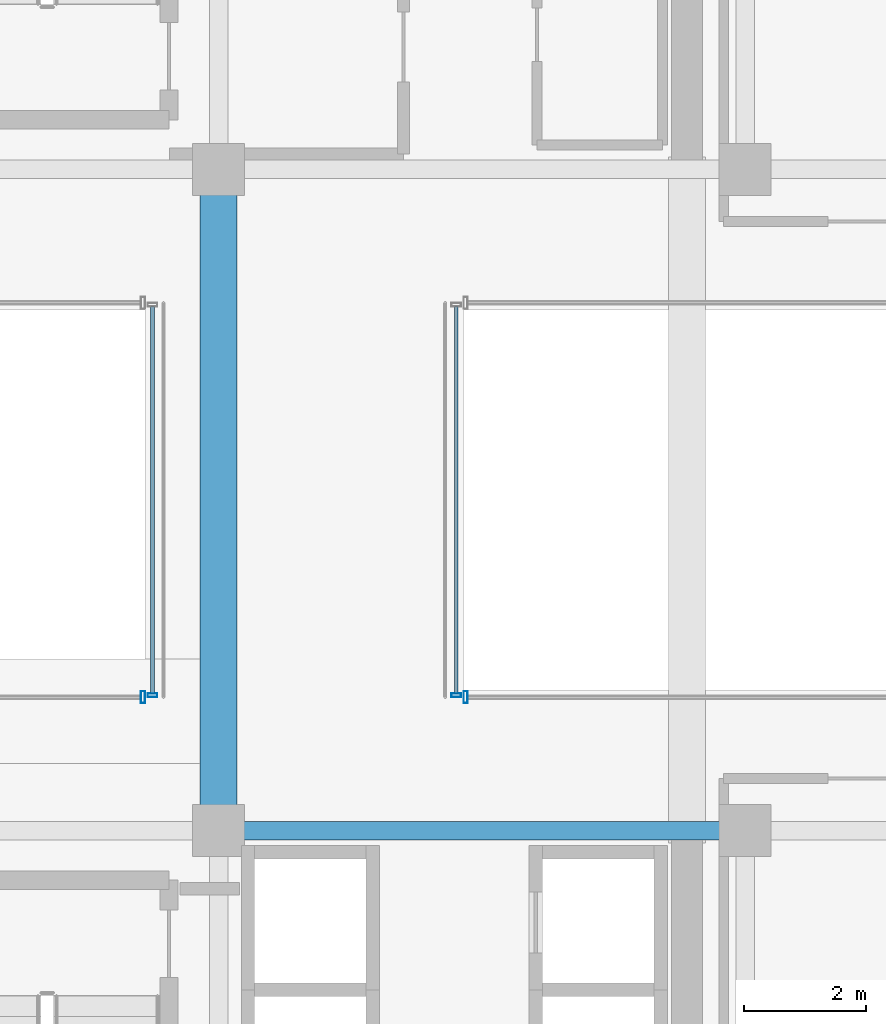
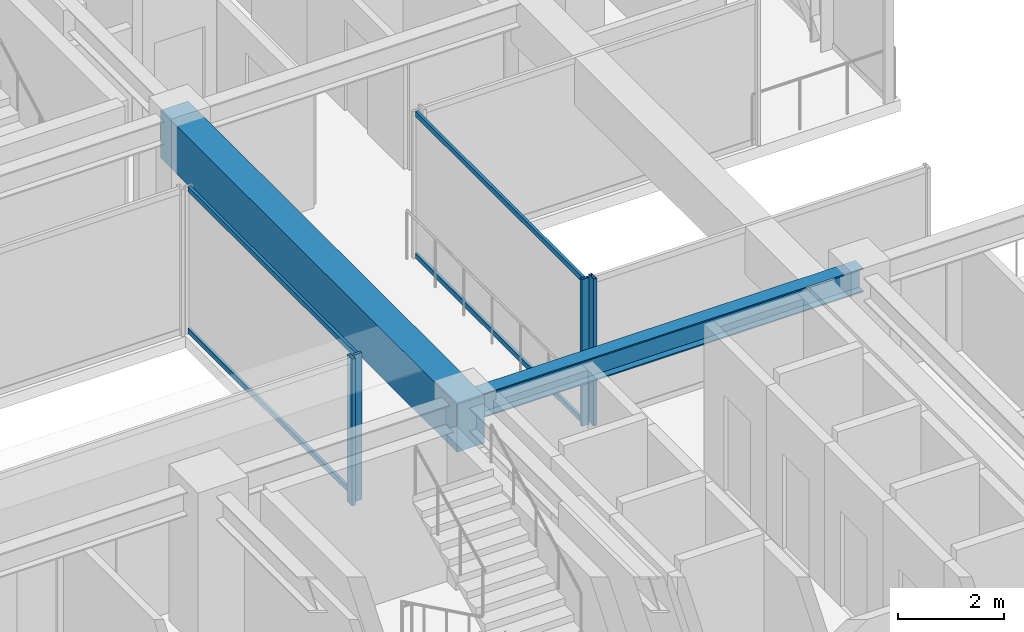
# One storey, part 16 of 37: 8 members, 2 beams, 4 elements without a shape of their own.
"""IFC4 building model written with IfcOpenShell, lengths in metres."""

from ifc_helpers import new_model, si_unit, direction, frame, origin, origin_2d, place, context, subcontext, project, spatial, rectangle, hollow_rectangle, i_section, extrude, source, transform, mapped, material, material_profile, profile_set, type_object, element, aggregate, save


model = new_model("IFC4")

# Units and contexts
model_context = context("Model", 3, precision=1e-05, world=origin(), true_north=direction((0.0, 1.0)))
body_context = subcontext(model_context, "Body", "Model", "MODEL_VIEW")
ifc_project = project(units=[si_unit("LENGTHUNIT", "METRE"), si_unit("AREAUNIT", "SQUARE_METRE"), si_unit("VOLUMEUNIT", "CUBIC_METRE"), si_unit("PLANEANGLEUNIT", "RADIAN"), si_unit("MASSUNIT", "GRAM", prefix="KILO")], contexts=[model_context])

# Site, building, storey
site_placement = place(None, origin())
site = spatial("IfcSite", under=ifc_project, at=site_placement, CompositionType="ELEMENT")
building_placement = place(site_placement, origin())
building = spatial("IfcBuilding", under=site, at=building_placement, Name="Nahalor Promenade Grand Hotel", CompositionType="ELEMENT")
storey_placement = place(building_placement, frame((0.0, 0.0, 167.25)))
storey = spatial("IfcBuildingStorey", under=building, at=storey_placement, Name="L42", CompositionType="ELEMENT", Elevation=167.25)

# Beams
ifc_material_1 = material(Name="Concrete B-60 (C50/60)", Category="concrete")
ifc_material_profile_1 = material_profile(ifc_material_1, rectangle(XDim=0.6, YDim=1.1, at=origin_2d()), Name="RC 600x1100")
ifc_profile_set_1 = profile_set([ifc_material_profile_1], Name="Concrete B-60 (C50/60)")
beam_type_1 = type_object("IfcBeamType", Name="Beam-Lintel-RC1100", PredefinedType="LINTEL", material=ifc_profile_set_1)
shared_shape_1 = source(origin(), body_context, "Body", "SweptSolid", [
    extrude(rectangle(XDim=0.6, YDim=1.1, at=origin_2d()), origin(), (0.0, 0.0, 1.0), 11.2001953125),
])
beam_1_placement = place(storey_placement, frame((8.39990234375, -5.60009765625, 2.840087890625), z_axis=(0.0, 1.0, 0.0), x_axis=(-1.0, 0.0, 0.0)))
element("IfcBeam", 1, at=beam_1_placement, inside=storey, type_object=beam_type_1, Name="BM-L42-LINT-W", PredefinedType="LINTEL", context=body_context, shape_type="MappedRepresentation", body=[
    mapped(shared_shape_1, transform((0.0, 0.0, 0.0), scale=1.0)),
])
ifc_material_2 = material(Name="Steel S355JR", Category="steel")
ifc_material_profile_2 = material_profile(ifc_material_2, i_section(OverallWidth=0.3, OverallDepth=0.55, WebThickness=0.015, FlangeThickness=0.029, at=origin_2d()), Name="HEB 550")
ifc_profile_set_2 = profile_set([ifc_material_profile_2], Name="Steel S355JR")
beam_type_2 = type_object("IfcBeamType", Name="Beam-Girder-HEB550", PredefinedType="BEAM", material=ifc_profile_set_2)
shared_shape_2 = source(origin(), body_context, "Body", "SweptSolid", [
    extrude(i_section(OverallWidth=0.3, OverallDepth=0.55, WebThickness=0.015, FlangeThickness=0.029, at=origin_2d()), origin(), (0.0, 0.0, 1.0), 8.60009765625),
])
beam_2_placement = place(storey_placement, frame((8.39990234375, -5.39990234375, 3.114990234375), z_axis=(1.0, 0.0, 0.0), x_axis=(0.0, 1.0, 0.0)))
element("IfcBeam", 2, at=beam_2_placement, inside=storey, type_object=beam_type_2, Name="BM-L42-GX-1-5", PredefinedType="BEAM", context=body_context, shape_type="MappedRepresentation", body=[
    mapped(shared_shape_2, transform((0.0, 0.0, 0.0), scale=1.0)),
])

# Curtain wall, members
ifc_material_3 = material(Name="Anodised Bronze Aluminium EN AW-6063 T6", Category="aluminium")
curtain_wall_type_1 = type_object("IfcCurtainWallType", Name="CW4 Low-Iron Sky-Gallery Bridge Curtain Wall", PredefinedType="USERDEFINED", material=ifc_material_3)
curtain_wall_1_placement = place(storey_placement, origin())
curtain_wall_1 = element("IfcCurtainWall", 3, at=curtain_wall_1_placement, inside=storey, type_object=curtain_wall_type_1, Name="L42 Curtain Wall CW-L42-BRG-W", ObjectType="UNITISED_CURTAIN_WALL", PredefinedType="USERDEFINED")
ifc_material_profile_3 = material_profile(ifc_material_3, hollow_rectangle(XDim=0.06, YDim=0.12, WallThickness=0.004, at=origin_2d()), Name="CWT 60x120x4")
ifc_profile_set_3 = profile_set([ifc_material_profile_3], Name="Anodised Bronze Aluminium EN AW-6063 T6")
member_type_1 = type_object("IfcMemberType", Name="CWT4 Sky-Gallery Slim Transom 60x120", PredefinedType="USERDEFINED", material=ifc_profile_set_3)
shared_shape_3 = source(origin(), body_context, "Body", "SweptSolid", [
    extrude(hollow_rectangle(XDim=0.06, YDim=0.12, WallThickness=0.004, at=origin_2d()), origin(), (0.0, 0.0, 1.0), 6.31982421875),
])
member_1_placement = place(storey_placement, frame((7.320068359375, -3.159912109375, 0.06005859375), z_axis=(0.0, 1.0, 0.0), x_axis=(-1.0, 0.0, 0.0)))
member_1 = element("IfcMember", 4, at=member_1_placement, type_object=member_type_1, Name="CW-L42-BRG-W Transom 0-0", ObjectType="TRANSOM", PredefinedType="USERDEFINED", context=body_context, shape_type="MappedRepresentation", body=[
    mapped(shared_shape_3, transform((0.0, 0.0, 0.0), scale=1.0)),
])
member_2_placement = place(storey_placement, frame((7.320068359375, -3.159912109375, 3.330078125), z_axis=(0.0, 1.0, 0.0), x_axis=(-1.0, 0.0, 0.0)))
member_2 = element("IfcMember", 5, at=member_2_placement, type_object=member_type_1, Name="CW-L42-BRG-W Transom 0-1", ObjectType="TRANSOM", PredefinedType="USERDEFINED", context=body_context, shape_type="MappedRepresentation", body=[
    mapped(shared_shape_3, transform((0.0, 0.0, 0.0), scale=1.0)),
])

curtain_wall_2_placement = place(storey_placement, origin())
curtain_wall_2 = element("IfcCurtainWall", 6, at=curtain_wall_2_placement, inside=storey, type_object=curtain_wall_type_1, Name="L42 Curtain Wall CW-L42-BRG-E", ObjectType="UNITISED_CURTAIN_WALL", PredefinedType="USERDEFINED")
member_3_placement = place(storey_placement, frame((12.280029296875, -3.159912109375, 0.06005859375), z_axis=(0.0, 1.0, 0.0), x_axis=(-1.0, 0.0, 0.0)))
member_3 = element("IfcMember", 7, at=member_3_placement, type_object=member_type_1, Name="CW-L42-BRG-E Transom 0-0", ObjectType="TRANSOM", PredefinedType="USERDEFINED", context=body_context, shape_type="MappedRepresentation", body=[
    mapped(shared_shape_3, transform((0.0, 0.0, 0.0), scale=1.0)),
])
member_4_placement = place(storey_placement, frame((12.280029296875, -3.159912109375, 3.330078125), z_axis=(0.0, 1.0, 0.0), x_axis=(-1.0, 0.0, 0.0)))
member_4 = element("IfcMember", 8, at=member_4_placement, type_object=member_type_1, Name="CW-L42-BRG-E Transom 0-1", ObjectType="TRANSOM", PredefinedType="USERDEFINED", context=body_context, shape_type="MappedRepresentation", body=[
    mapped(shared_shape_3, transform((0.0, 0.0, 0.0), scale=1.0)),
])

# Curtain wall, member
curtain_wall_type_2 = type_object("IfcCurtainWallType", Name="CW3 Elliptical-Void Collar Unitised Curtain Wall", PredefinedType="USERDEFINED", material=ifc_material_3)
curtain_wall_3_placement = place(storey_placement, origin())
curtain_wall_3 = element("IfcCurtainWall", 9, at=curtain_wall_3_placement, inside=storey, type_object=curtain_wall_type_2, Name="L42 Curtain Wall CW-L42-VOID-WS1", ObjectType="UNITISED_CURTAIN_WALL", PredefinedType="USERDEFINED")
ifc_material_profile_4 = material_profile(ifc_material_3, hollow_rectangle(XDim=0.07, YDim=0.2, WallThickness=0.005, at=origin_2d()), Name="CWM 70x200x5")
ifc_profile_set_4 = profile_set([ifc_material_profile_4], Name="Anodised Bronze Aluminium EN AW-6063 T6")
member_type_2 = type_object("IfcMemberType", Name="CWM3 Void Collar Mullion 70x200", PredefinedType="MULLION", material=ifc_profile_set_4)
shared_shape_4 = source(origin(), body_context, "Body", "SweptSolid", [
    extrude(hollow_rectangle(XDim=0.07, YDim=0.2, WallThickness=0.005, at=origin_2d()), origin(), (0.0, 0.0, 1.0), 3.389892578125),
])
member_5_placement = place(storey_placement, frame((7.1650390625, -3.219970703125, 0.0), z_axis=(0.0, 0.0, 1.0), x_axis=(1.0, 0.0, 0.0)))
member_5 = element("IfcMember", 10, at=member_5_placement, type_object=member_type_2, Name="CW-L42-VOID-WS1 Mullion 3", PredefinedType="MULLION", context=body_context, shape_type="MappedRepresentation", body=[
    mapped(shared_shape_4, transform((0.0, 0.0, 0.0), scale=1.0)),
])
aggregate(curtain_wall_3, [member_5])

curtain_wall_4_placement = place(storey_placement, origin())
curtain_wall_4 = element("IfcCurtainWall", 11, at=curtain_wall_4_placement, inside=storey, type_object=curtain_wall_type_2, Name="L42 Curtain Wall CW-L42-VOID-ES1", ObjectType="UNITISED_CURTAIN_WALL", PredefinedType="USERDEFINED")
member_6_placement = place(storey_placement, frame((12.43505859375, -3.219970703125, 0.0), z_axis=(0.0, 0.0, 1.0), x_axis=(1.0, 0.0, 0.0)))
member_6 = element("IfcMember", 12, at=member_6_placement, type_object=member_type_2, Name="CW-L42-VOID-ES1 Mullion 0", PredefinedType="MULLION", context=body_context, shape_type="MappedRepresentation", body=[
    mapped(shared_shape_4, transform((0.0, 0.0, 0.0), scale=1.0)),
])
aggregate(curtain_wall_4, [member_6])

# Member
ifc_material_profile_5 = material_profile(ifc_material_3, hollow_rectangle(XDim=0.06, YDim=0.16, WallThickness=0.004, at=origin_2d()), Name="CWM 60x160x4")
ifc_profile_set_5 = profile_set([ifc_material_profile_5], Name="Anodised Bronze Aluminium EN AW-6063 T6")
member_type_3 = type_object("IfcMemberType", Name="CWM4 Sky-Gallery Slim Mullion 60x160", PredefinedType="MULLION", material=ifc_profile_set_5)
shared_shape_5 = source(origin(), body_context, "Body", "SweptSolid", [
    extrude(hollow_rectangle(XDim=0.06, YDim=0.16, WallThickness=0.004, at=origin_2d()), origin(), (0.0, 0.0, 1.0), 3.389892578125),
])
member_7_placement = place(storey_placement, frame((7.320068359375, -3.18994140625, 0.0), z_axis=(0.0, 0.0, 1.0), x_axis=(0.0, 1.0, 0.0)))
member_7 = element("IfcMember", 13, at=member_7_placement, type_object=member_type_3, Name="CW-L42-BRG-W Mullion 0", PredefinedType="MULLION", context=body_context, shape_type="MappedRepresentation", body=[
    mapped(shared_shape_5, transform((0.0, 0.0, 0.0), scale=1.0)),
])

aggregate(curtain_wall_1, [member_7, member_1, member_2])

member_8_placement = place(storey_placement, frame((12.280029296875, -3.18994140625, 0.0), z_axis=(0.0, 0.0, 1.0), x_axis=(0.0, 1.0, 0.0)))
member_8 = element("IfcMember", 14, at=member_8_placement, type_object=member_type_3, Name="CW-L42-BRG-E Mullion 0", PredefinedType="MULLION", context=body_context, shape_type="MappedRepresentation", body=[
    mapped(shared_shape_5, transform((0.0, 0.0, 0.0), scale=1.0)),
])

aggregate(curtain_wall_2, [member_8, member_3, member_4])

save(model, "model.ifc")
